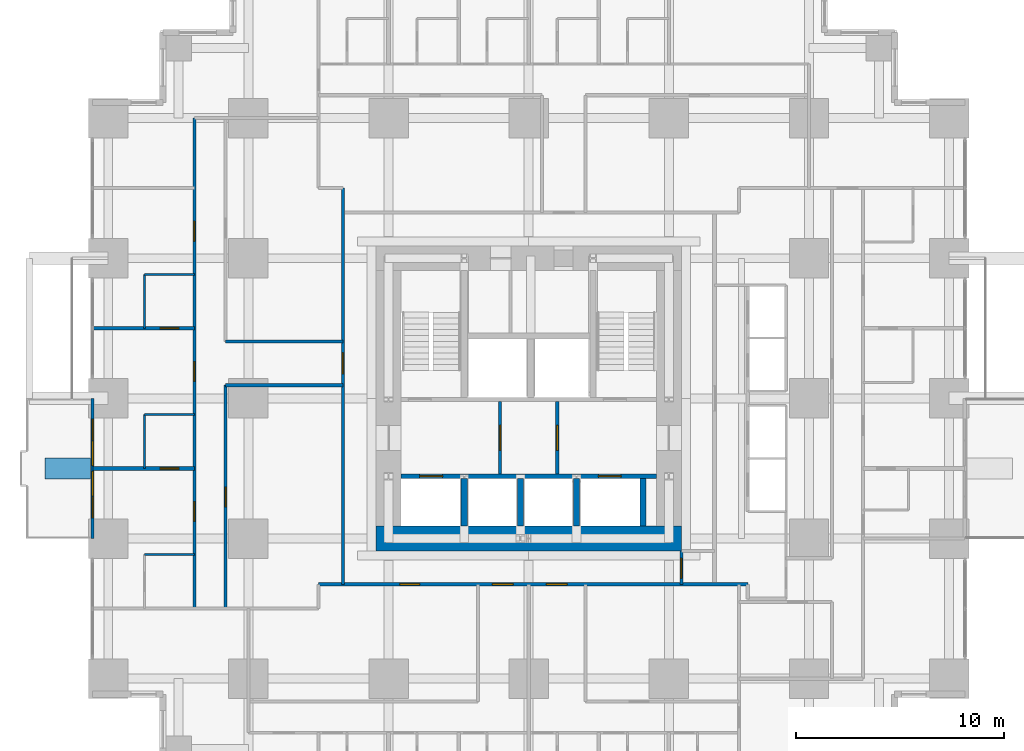
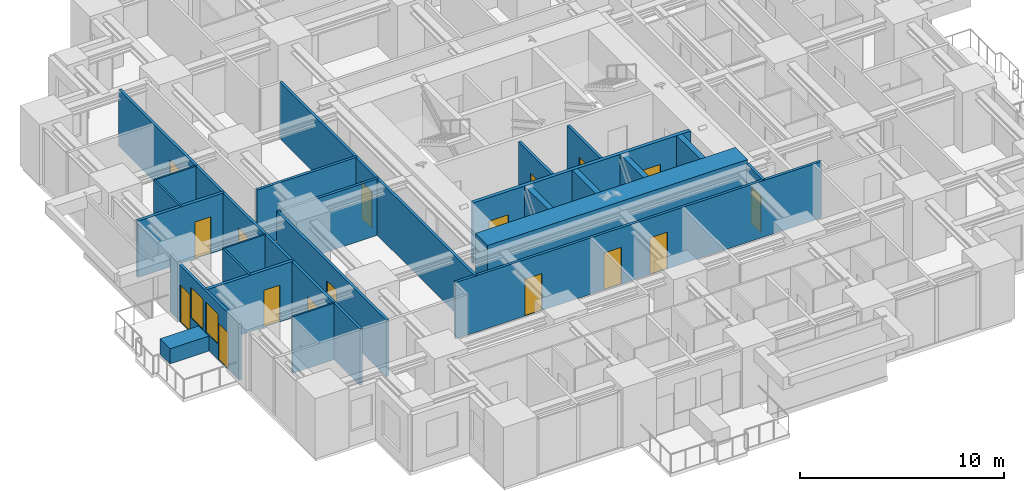
# One storey, part 9 of 14: 24 walls, 17 doors, 2 windows, 19 openings.
"""IFC4 building model written with IfcOpenShell, lengths in metres."""

from ifc_helpers import new_model, si_unit, direction, frame, frame_2d, origin, place, context, subcontext, project, spatial, rectangle, extrude, material, layer, layer_set, type_object, element, fill, save


model = new_model("IFC4")

# Units and contexts
model_context = context("Model", 3, precision=1e-05, world=origin(), true_north=direction((0.0, 1.0)))
body_context = subcontext(model_context, "Body", "Model", "MODEL_VIEW")
ifc_project = project(units=[si_unit("LENGTHUNIT", "METRE"), si_unit("AREAUNIT", "SQUARE_METRE"), si_unit("VOLUMEUNIT", "CUBIC_METRE"), si_unit("PLANEANGLEUNIT", "RADIAN"), si_unit("MASSUNIT", "GRAM", prefix="KILO")], contexts=[model_context])

# Site, building, storey
site_placement = place(None, origin())
site = spatial("IfcSite", under=ifc_project, at=site_placement, CompositionType="ELEMENT")
building_placement = place(site_placement, origin())
building = spatial("IfcBuilding", under=site, at=building_placement, Name="Nyansa Garden Tower", CompositionType="ELEMENT")
storey_placement = place(building_placement, frame((0.0, 0.0, 39.60009765625)))
storey = spatial("IfcBuildingStorey", under=building, at=storey_placement, Name="L10", CompositionType="ELEMENT", Elevation=39.60009765625)

# Wall, opening, door
ifc_material_1 = material(Name="Dense blockwork, plastered both sides, 55 dB", Category="masonry")
ifc_layer_1 = layer(ifc_material_1, 0.175048828125)
ifc_layer_set_1 = layer_set([ifc_layer_1], Name="Acoustic party wall PW175")
wall_type_1 = type_object("IfcWallType", Name="Acoustic party wall PW175", PredefinedType="PARTITIONING", material=ifc_layer_set_1)
wall_1_placement = place(storey_placement, frame((-0.73388671875, 16.875, 0.0), z_axis=(0.0, 0.0, 1.0), x_axis=(1.0, 0.0, 0.0)))
wall_1 = element("IfcWall", 1, at=wall_1_placement, inside=storey, type_object=wall_type_1, Name="Party wall", PredefinedType="PARTITIONING", context=body_context, shape_type="SweptSolid", body=[
    extrude(rectangle(XDim=4.8837890625, YDim=0.175048828125, at=frame_2d((2.44189453125, 0.0))), origin(), (0.0, 0.0, 1.0), 3.375),
])
opening_1_placement = place(wall_1_placement, frame((3.23388671875, 0.0, 0.0)))
opening_1 = element("IfcOpeningElement", 2, at=opening_1_placement, cuts=wall_1, Name="Opening D02", PredefinedType="OPENING", context=body_context, shape_type="SweptSolid", body=[
    extrude(rectangle(XDim=0.89990234375, YDim=2.199951171875, at=frame_2d((0.449951171875, 1.10009765625))), frame((0.0, 0.097412109375, 0.0), z_axis=(0.0, -1.0, 0.0), x_axis=(1.0, 0.0, 0.0)), (0.0, 0.0, 1.0), 0.195068359375),
])
ifc_material_2 = material(Name="Timber flush door", Category="wood")
door_type_1 = type_object("IfcDoorType", Name="En-suite door D02 900x2200", OperationType="SINGLE_SWING_RIGHT", PredefinedType="DOOR", material=ifc_material_2)
door_1_placement = place(opening_1_placement, origin())
door_1 = element("IfcDoor", 3, at=door_1_placement, inside=storey, type_object=door_type_1, Name="Door L10-062", OperationType="SINGLE_SWING_RIGHT", OverallHeight=2.199951171875, OverallWidth=0.89990234375, PredefinedType="DOOR", context=body_context, shape_type="SweptSolid", body=[
    extrude(rectangle(XDim=0.89990234375, YDim=2.199951171875, at=frame_2d((0.449951171875, 1.10009765625))), frame((0.0, 0.02490234375, 0.0), z_axis=(0.0, -1.0, 0.0), x_axis=(1.0, 0.0, 0.0)), (0.0, 0.0, 1.0), 0.050048828125),
])
fill(opening_1, door_1)

wall_2_placement = place(storey_placement, frame((-0.73388671875, 23.625, 0.0), z_axis=(0.0, 0.0, 1.0), x_axis=(1.0, 0.0, 0.0)))
wall_2 = element("IfcWall", 4, at=wall_2_placement, inside=storey, type_object=wall_type_1, Name="Party wall", PredefinedType="PARTITIONING", context=body_context, shape_type="SweptSolid", body=[
    extrude(rectangle(XDim=4.8837890625, YDim=0.175048828125, at=frame_2d((2.44189453125, 0.0))), origin(), (0.0, 0.0, 1.0), 3.375),
])
opening_2_placement = place(wall_2_placement, frame((3.23388671875, 0.0, 0.0)))
opening_2 = element("IfcOpeningElement", 5, at=opening_2_placement, cuts=wall_2, Name="Opening D02", PredefinedType="OPENING", context=body_context, shape_type="SweptSolid", body=[
    extrude(rectangle(XDim=0.89990234375, YDim=2.199951171875, at=frame_2d((0.449951171875, 1.10009765625))), frame((0.0, 0.097412109375, 0.0), z_axis=(0.0, -1.0, 0.0), x_axis=(1.0, 0.0, 0.0)), (0.0, 0.0, 1.0), 0.195068359375),
])
door_2_placement = place(opening_2_placement, origin())
door_2 = element("IfcDoor", 6, at=door_2_placement, inside=storey, type_object=door_type_1, Name="Door L10-064", OperationType="SINGLE_SWING_RIGHT", OverallHeight=2.199951171875, OverallWidth=0.89990234375, PredefinedType="DOOR", context=body_context, shape_type="SweptSolid", body=[
    extrude(rectangle(XDim=0.89990234375, YDim=2.199951171875, at=frame_2d((0.449951171875, 1.10009765625))), frame((0.0, 0.02490234375, 0.0), z_axis=(0.0, -1.0, 0.0), x_axis=(1.0, 0.0, 0.0)), (0.0, 0.0, 1.0), 0.050048828125),
])
fill(opening_2, door_2)

# Wall, openings, doors, windows
ifc_material_3 = material(Name="Black aluminium framed glazed screen", Category="aluminium")
ifc_layer_2 = layer(ifc_material_3, 0.14990234375)
ifc_layer_set_2 = layer_set([ifc_layer_2], Name="Balcony screen wall BW150")
wall_type_2 = type_object("IfcWallType", Name="Balcony screen wall BW150", PredefinedType="SOLIDWALL", material=ifc_layer_set_2)
wall_3_placement = place(storey_placement, frame((-0.75, 13.5, 0.0), z_axis=(0.0, 0.0, 1.0), x_axis=(0.0, 1.0, 0.0)))
wall_3 = element("IfcWall", 7, at=wall_3_placement, inside=storey, type_object=wall_type_2, Name="Glazed screen wall L10 W", PredefinedType="SOLIDWALL", context=body_context, shape_type="SweptSolid", body=[
    extrude(rectangle(XDim=6.75, YDim=0.14990234375, at=frame_2d((3.375, 0.0))), origin(), (0.0, 0.0, 1.0), 3.375),
])
opening_3_placement = place(wall_3_placement, frame((0.995849609375, 0.0, 0.0)))
opening_3 = element("IfcOpeningElement", 8, at=opening_3_placement, cuts=wall_3, Name="Opening D20", PredefinedType="OPENING", context=body_context, shape_type="SweptSolid", body=[
    extrude(rectangle(XDim=1.0, YDim=2.199951171875, at=frame_2d((0.5, 1.10009765625))), frame((0.0, 0.0849609375, 0.0), z_axis=(0.0, -1.0, 0.0), x_axis=(1.0, 0.0, 0.0)), (0.0, 0.0, 1.0), 0.169921875),
])
opening_4_placement = place(wall_3_placement, frame((2.041748046875, 0.0, 0.89990234375)))
opening_4 = element("IfcOpeningElement", 9, at=opening_4_placement, cuts=wall_3, Name="Opening W6", PredefinedType="OPENING", context=body_context, shape_type="SweptSolid", body=[
    extrude(rectangle(XDim=1.199951171875, YDim=1.800048828125, at=frame_2d((0.60009765625, 0.89990234375))), frame((0.0, 0.0849609375, 0.0), z_axis=(0.0, -1.0, 0.0), x_axis=(1.0, 0.0, 0.0)), (0.0, 0.0, 1.0), 0.169921875),
])
opening_5_placement = place(wall_3_placement, frame((4.754150390625, 0.0, 0.0)))
opening_5 = element("IfcOpeningElement", 10, at=opening_5_placement, cuts=wall_3, Name="Opening D20", PredefinedType="OPENING", context=body_context, shape_type="SweptSolid", body=[
    extrude(rectangle(XDim=1.0, YDim=2.199951171875, at=frame_2d((0.5, 1.10009765625))), frame((0.0, 0.0849609375, 0.0), z_axis=(0.0, -1.0, 0.0), x_axis=(1.0, 0.0, 0.0)), (0.0, 0.0, 1.0), 0.169921875),
])
opening_6_placement = place(wall_3_placement, frame((3.50830078125, 0.0, 0.89990234375)))
opening_6 = element("IfcOpeningElement", 11, at=opening_6_placement, cuts=wall_3, Name="Opening W6", PredefinedType="OPENING", context=body_context, shape_type="SweptSolid", body=[
    extrude(rectangle(XDim=1.199951171875, YDim=1.800048828125, at=frame_2d((0.60009765625, 0.89990234375))), frame((0.0, 0.0849609375, 0.0), z_axis=(0.0, -1.0, 0.0), x_axis=(1.0, 0.0, 0.0)), (0.0, 0.0, 1.0), 0.169921875),
])
ifc_material_4 = material(Name="Black aluminium framed glazed door", Category="aluminium")
door_type_2 = type_object("IfcDoorType", Name="Balcony door D20 1000x2200", OperationType="NOTDEFINED", PredefinedType="DOOR", material=ifc_material_4)
door_3_placement = place(opening_3_placement, origin())
door_3 = element("IfcDoor", 12, at=door_3_placement, inside=storey, type_object=door_type_2, Name="Balcony door L10", OperationType="SINGLE_SWING_LEFT", OverallHeight=2.199951171875, OverallWidth=1.0, PredefinedType="DOOR", context=body_context, shape_type="SweptSolid", body=[
    extrude(rectangle(XDim=1.0, YDim=2.199951171875, at=frame_2d((0.5, 1.10009765625))), frame((0.0, 0.02490234375, 0.0), z_axis=(0.0, -1.0, 0.0), x_axis=(1.0, 0.0, 0.0)), (0.0, 0.0, 1.0), 0.050048828125),
])
fill(opening_3, door_3)
door_4_placement = place(opening_5_placement, origin())
door_4 = element("IfcDoor", 13, at=door_4_placement, inside=storey, type_object=door_type_2, Name="Balcony door L10", OperationType="SINGLE_SWING_RIGHT", OverallHeight=2.199951171875, OverallWidth=1.0, PredefinedType="DOOR", context=body_context, shape_type="SweptSolid", body=[
    extrude(rectangle(XDim=1.0, YDim=2.199951171875, at=frame_2d((0.5, 1.10009765625))), frame((0.0, 0.02490234375, 0.0), z_axis=(0.0, -1.0, 0.0), x_axis=(1.0, 0.0, 0.0)), (0.0, 0.0, 1.0), 0.050048828125),
])
fill(opening_5, door_4)
ifc_material_5 = material(Name="Black aluminium frame, dark tinted double glazing", Category="aluminium")
window_type = type_object("IfcWindowType", Name="Balcony window W6 1200x1800", PartitioningType="SINGLE_PANEL", PredefinedType="WINDOW", material=ifc_material_5)
window_1_placement = place(opening_4_placement, origin())
window_1 = element("IfcWindow", 14, at=window_1_placement, inside=storey, type_object=window_type, Name="Window L10", OverallHeight=1.800048828125, OverallWidth=1.199951171875, PartitioningType="SINGLE_PANEL", PredefinedType="WINDOW", context=body_context, shape_type="SweptSolid", body=[
    extrude(rectangle(XDim=1.199951171875, YDim=1.800048828125, at=frame_2d((0.60009765625, 0.89990234375))), frame((0.0, 0.030029296875, 0.0), z_axis=(0.0, -1.0, 0.0), x_axis=(1.0, 0.0, 0.0)), (0.0, 0.0, 1.0), 0.06005859375),
])
fill(opening_4, window_1)
window_2_placement = place(opening_6_placement, origin())
window_2 = element("IfcWindow", 15, at=window_2_placement, inside=storey, type_object=window_type, Name="Window L10", OverallHeight=1.800048828125, OverallWidth=1.199951171875, PartitioningType="SINGLE_PANEL", PredefinedType="WINDOW", context=body_context, shape_type="SweptSolid", body=[
    extrude(rectangle(XDim=1.199951171875, YDim=1.800048828125, at=frame_2d((0.60009765625, 0.89990234375))), frame((0.0, 0.030029296875, 0.0), z_axis=(0.0, -1.0, 0.0), x_axis=(1.0, 0.0, 0.0)), (0.0, 0.0, 1.0), 0.06005859375),
])
fill(opening_6, window_2)

# Wall, openings, doors
ifc_material_6 = material(Name="Concrete C70/85", Category="concrete")
ifc_layer_3 = layer(ifc_material_6, 0.199951171875)
ifc_layer_set_3 = layer_set([ifc_layer_3], Name="Core inner wall CI200")
wall_type_3 = type_object("IfcWallType", Name="Core inner wall CI200", PredefinedType="SHEAR", material=ifc_layer_set_3)
wall_4_placement = place(storey_placement, frame((14.10009765625, 16.5, 0.0), z_axis=(0.0, 0.0, 1.0), x_axis=(1.0, 0.0, 0.0)))
wall_4 = element("IfcWall", 16, at=wall_4_placement, inside=storey, type_object=wall_type_3, Name="Core inner wall L10", PredefinedType="SHEAR", context=body_context, shape_type="SweptSolid", body=[
    extrude(rectangle(XDim=12.2998046875, YDim=0.199951171875, at=frame_2d((6.14990234375, 0.0))), origin(), (0.0, 0.0, 1.0), 3.599853515625),
])
opening_7_placement = place(wall_4_placement, frame((0.89990234375, 0.0, 0.0)))
opening_7 = element("IfcOpeningElement", 17, at=opening_7_placement, cuts=wall_4, Name="Opening LD-F", PredefinedType="OPENING", context=body_context, shape_type="SweptSolid", body=[
    extrude(rectangle(XDim=1.10009765625, YDim=2.199951171875, at=frame_2d((0.550048828125, 1.10009765625))), frame((0.0, 0.10986328125, 0.0), z_axis=(0.0, -1.0, 0.0), x_axis=(1.0, 0.0, 0.0)), (0.0, 0.0, 1.0), 0.219970703125),
])
opening_8_placement = place(wall_4_placement, frame((9.5, 0.0, 0.0)))
opening_8 = element("IfcOpeningElement", 18, at=opening_8_placement, cuts=wall_4, Name="Opening LD-F", PredefinedType="OPENING", context=body_context, shape_type="SweptSolid", body=[
    extrude(rectangle(XDim=1.10009765625, YDim=2.199951171875, at=frame_2d((0.550048828125, 1.10009765625))), frame((0.0, 0.10986328125, 0.0), z_axis=(0.0, -1.0, 0.0), x_axis=(1.0, 0.0, 0.0)), (0.0, 0.0, 1.0), 0.219970703125),
])
ifc_material_7 = material(Name="Stainless steel centre-opening landing door of the firefighting lift, EN 81-72, E 120", Category="steel")
door_type_3 = type_object("IfcDoorType", Name="Lift landing door LD-F 1100x2200", OperationType="DOUBLE_DOOR_SLIDING", PredefinedType="DOOR", material=ifc_material_7)
door_5_placement = place(opening_7_placement, origin())
door_5 = element("IfcDoor", 19, at=door_5_placement, inside=storey, type_object=door_type_3, Name="Landing door FF1", OperationType="DOUBLE_DOOR_SLIDING", OverallHeight=2.199951171875, OverallWidth=1.10009765625, PredefinedType="DOOR", context=body_context, shape_type="SweptSolid", body=[
    extrude(rectangle(XDim=1.10009765625, YDim=2.199951171875, at=frame_2d((0.550048828125, 1.10009765625))), frame((0.0, 0.02490234375, 0.0), z_axis=(0.0, -1.0, 0.0), x_axis=(1.0, 0.0, 0.0)), (0.0, 0.0, 1.0), 0.050048828125),
])
fill(opening_7, door_5)
door_6_placement = place(opening_8_placement, origin())
door_6 = element("IfcDoor", 20, at=door_6_placement, inside=storey, type_object=door_type_3, Name="Landing door FF2", OperationType="DOUBLE_DOOR_SLIDING", OverallHeight=2.199951171875, OverallWidth=1.10009765625, PredefinedType="DOOR", context=body_context, shape_type="SweptSolid", body=[
    extrude(rectangle(XDim=1.10009765625, YDim=2.199951171875, at=frame_2d((0.550048828125, 1.10009765625))), frame((0.0, 0.02490234375, 0.0), z_axis=(0.0, -1.0, 0.0), x_axis=(1.0, 0.0, 0.0)), (0.0, 0.0, 1.0), 0.050048828125),
])
fill(opening_8, door_6)

# Walls
ifc_material_8 = material(Name="Concrete C70/85", Category="concrete")
ifc_layer_4 = layer(ifc_material_8, 0.300048828125)
ifc_layer_set_4 = layer_set([ifc_layer_4], Name="Core inner wall CI300")
wall_type_4 = type_object("IfcWallType", Name="Core inner wall CI300", PredefinedType="SHEAR", material=ifc_layer_set_4)
for number, where, z_axis, x_axis, name in (
    (21, (17.14990234375, 14.10009765625, 0.0), (0.0, 0.0, 1.0), (0.0, 1.0, 0.0), "Core inner wall L10"),
    (22, (19.85009765625, 14.10009765625, 0.0), (0.0, 0.0, 1.0), (0.0, 1.0, 0.0), "Core inner wall L10"),
    (23, (22.550048828125, 14.10009765625, 0.0), (0.0, 0.0, 1.0), (0.0, 1.0, 0.0), "Core inner wall L10"),
    (24, (25.75, 14.10009765625, 0.0), (0.0, 0.0, 1.0), (0.0, 1.0, 0.0), "Core inner wall L10"),
):
    element("IfcWall", number, at=place(storey_placement, frame(where, z_axis=z_axis, x_axis=x_axis)), inside=storey, type_object=wall_type_4, Name=name, PredefinedType="SHEAR", context=body_context, shape_type="SweptSolid", body=[
        extrude(rectangle(XDim=2.2998046875, YDim=0.300048828125, at=frame_2d((1.14990234375, 0.0))), origin(), (0.0, 0.0, 1.0), 3.599853515625),
    ])
ifc_material_9 = material(Name="Concrete C80/95", Category="concrete")
ifc_layer_5 = layer(ifc_material_9, 1.199951171875)
ifc_layer_set_5 = layer_set([ifc_layer_5], Name="Core wall CW1200")
wall_type_5 = type_object("IfcWallType", Name="Core wall CW1200", PredefinedType="SHEAR", material=ifc_layer_set_5)
wall_5_placement = place(storey_placement, frame((12.89990234375, 13.5, 0.0), z_axis=(0.0, 0.0, 1.0), x_axis=(1.0, 0.0, 0.0)))
element("IfcWall", 25, at=wall_5_placement, inside=storey, type_object=wall_type_5, Name="Core wall S L10", PredefinedType="SHEAR", context=body_context, shape_type="SweptSolid", body=[
    extrude(rectangle(XDim=14.7001953125, YDim=1.199951171875, at=frame_2d((7.35009765625, 0.0))), origin(), (0.0, 0.0, 1.0), 3.599853515625),
])

# Wall, opening, door
ifc_material_10 = material(Name="Blockwork, plastered both sides", Category="masonry")
ifc_layer_6 = layer(ifc_material_10, 0.14990234375)
ifc_layer_set_6 = layer_set([ifc_layer_6], Name="Partition PW150")
wall_type_6 = type_object("IfcWallType", Name="Partition PW150", PredefinedType="PARTITIONING", material=ifc_layer_set_6)
wall_6_placement = place(storey_placement, frame((18.875, 16.60009765625, 0.0), z_axis=(0.0, 0.0, 1.0), x_axis=(0.0, 1.0, 0.0)))
wall_6 = element("IfcWall", 26, at=wall_6_placement, inside=storey, type_object=wall_type_6, Name="Partition", PredefinedType="PARTITIONING", context=body_context, shape_type="SweptSolid", body=[
    extrude(rectangle(XDim=3.5, YDim=0.14990234375, at=frame_2d((1.75, 0.0))), origin(), (0.0, 0.0, 1.0), 3.375),
])
opening_9_placement = place(wall_6_placement, frame((1.14990234375, 0.0, 0.0)))
opening_9 = element("IfcOpeningElement", 27, at=opening_9_placement, cuts=wall_6, Name="Opening D06", PredefinedType="OPENING", context=body_context, shape_type="SweptSolid", body=[
    extrude(rectangle(XDim=1.199951171875, YDim=2.199951171875, at=frame_2d((0.60009765625, 1.10009765625))), frame((0.0, 0.0849609375, 0.0), z_axis=(0.0, -1.0, 0.0), x_axis=(1.0, 0.0, 0.0)), (0.0, 0.0, 1.0), 0.169921875),
])
ifc_material_11 = material(Name="Steel door, 120 minute fire resisting", Category="steel")
door_type_4 = type_object("IfcDoorType", Name="Lobby door D06 1200x2200", OperationType="DOUBLE_DOOR_SINGLE_SWING", PredefinedType="DOOR", material=ifc_material_11)
door_7_placement = place(opening_9_placement, origin())
door_7 = element("IfcDoor", 28, at=door_7_placement, inside=storey, type_object=door_type_4, Name="Passenger lift lobby door", OperationType="DOUBLE_DOOR_SINGLE_SWING", OverallHeight=2.199951171875, OverallWidth=1.199951171875, PredefinedType="DOOR", context=body_context, shape_type="SweptSolid", body=[
    extrude(rectangle(XDim=1.199951171875, YDim=2.199951171875, at=frame_2d((0.60009765625, 1.10009765625))), frame((0.0, 0.02490234375, 0.0), z_axis=(0.0, -1.0, 0.0), x_axis=(1.0, 0.0, 0.0)), (0.0, 0.0, 1.0), 0.050048828125),
])
fill(opening_9, door_7)

wall_7_placement = place(storey_placement, frame((21.625, 16.60009765625, 0.0), z_axis=(0.0, 0.0, 1.0), x_axis=(0.0, 1.0, 0.0)))
wall_7 = element("IfcWall", 29, at=wall_7_placement, inside=storey, type_object=wall_type_6, Name="Partition", PredefinedType="PARTITIONING", context=body_context, shape_type="SweptSolid", body=[
    extrude(rectangle(XDim=3.5, YDim=0.14990234375, at=frame_2d((1.75, 0.0))), origin(), (0.0, 0.0, 1.0), 3.375),
])
opening_10_placement = place(wall_7_placement, frame((1.14990234375, 0.0, 0.0)))
opening_10 = element("IfcOpeningElement", 30, at=opening_10_placement, cuts=wall_7, Name="Opening D06", PredefinedType="OPENING", context=body_context, shape_type="SweptSolid", body=[
    extrude(rectangle(XDim=1.199951171875, YDim=2.199951171875, at=frame_2d((0.60009765625, 1.10009765625))), frame((0.0, 0.0849609375, 0.0), z_axis=(0.0, -1.0, 0.0), x_axis=(1.0, 0.0, 0.0)), (0.0, 0.0, 1.0), 0.169921875),
])
door_8_placement = place(opening_10_placement, origin())
door_8 = element("IfcDoor", 31, at=door_8_placement, inside=storey, type_object=door_type_4, Name="Passenger lift lobby door", OperationType="DOUBLE_DOOR_SINGLE_SWING", OverallHeight=2.199951171875, OverallWidth=1.199951171875, PredefinedType="DOOR", context=body_context, shape_type="SweptSolid", body=[
    extrude(rectangle(XDim=1.199951171875, YDim=2.199951171875, at=frame_2d((0.60009765625, 1.10009765625))), frame((0.0, 0.02490234375, 0.0), z_axis=(0.0, -1.0, 0.0), x_axis=(1.0, 0.0, 0.0)), (0.0, 0.0, 1.0), 0.050048828125),
])
fill(opening_10, door_8)

# Wall, openings, doors
wall_8_placement = place(storey_placement, frame((4.14990234375, 10.125, 0.0), z_axis=(0.0, 0.0, 1.0), x_axis=(0.0, 1.0, 0.0)))
wall_8 = element("IfcWall", 32, at=wall_8_placement, inside=storey, type_object=wall_type_6, Name="Partition", PredefinedType="PARTITIONING", context=body_context, shape_type="SweptSolid", body=[
    extrude(rectangle(XDim=23.625, YDim=0.14990234375, at=frame_2d((11.8125, 0.0))), origin(), (0.0, 0.0, 1.0), 3.375),
])
opening_11_placement = place(wall_8_placement, frame((4.199951171875, 0.0, 0.0)))
opening_11 = element("IfcOpeningElement", 33, at=opening_11_placement, cuts=wall_8, Name="Opening D14", PredefinedType="OPENING", context=body_context, shape_type="SweptSolid", body=[
    extrude(rectangle(XDim=0.949951171875, YDim=2.199951171875, at=frame_2d((0.47509765625, 1.10009765625))), frame((0.0, 0.0849609375, 0.0), z_axis=(0.0, -1.0, 0.0), x_axis=(1.0, 0.0, 0.0)), (0.0, 0.0, 1.0), 0.169921875),
])
opening_12_placement = place(wall_8_placement, frame((10.949951171875, 0.0, 0.0)))
opening_12 = element("IfcOpeningElement", 34, at=opening_12_placement, cuts=wall_8, Name="Opening D14", PredefinedType="OPENING", context=body_context, shape_type="SweptSolid", body=[
    extrude(rectangle(XDim=0.949951171875, YDim=2.199951171875, at=frame_2d((0.47509765625, 1.10009765625))), frame((0.0, 0.0849609375, 0.0), z_axis=(0.0, -1.0, 0.0), x_axis=(1.0, 0.0, 0.0)), (0.0, 0.0, 1.0), 0.169921875),
])
opening_13_placement = place(wall_8_placement, frame((17.699951171875, 0.0, 0.0)))
opening_13 = element("IfcOpeningElement", 35, at=opening_13_placement, cuts=wall_8, Name="Opening D14", PredefinedType="OPENING", context=body_context, shape_type="SweptSolid", body=[
    extrude(rectangle(XDim=0.949951171875, YDim=2.199951171875, at=frame_2d((0.47509765625, 1.10009765625))), frame((0.0, 0.0849609375, 0.0), z_axis=(0.0, -1.0, 0.0), x_axis=(1.0, 0.0, 0.0)), (0.0, 0.0, 1.0), 0.169921875),
])
ifc_material_12 = material(Name="Timber flush door, 60 minute fire resisting, self-closing", Category="wood")
door_type_5 = type_object("IfcDoorType", Name="Studio entrance door D14 950x2200", OperationType="SINGLE_SWING_LEFT", PredefinedType="DOOR", material=ifc_material_12)
door_9_placement = place(opening_11_placement, origin())
door_9 = element("IfcDoor", 36, at=door_9_placement, inside=storey, type_object=door_type_5, Name="Door L10-059", OperationType="SINGLE_SWING_LEFT", OverallHeight=2.199951171875, OverallWidth=0.949951171875, PredefinedType="DOOR", context=body_context, shape_type="SweptSolid", body=[
    extrude(rectangle(XDim=0.949951171875, YDim=2.199951171875, at=frame_2d((0.47509765625, 1.10009765625))), frame((0.0, 0.02490234375, 0.0), z_axis=(0.0, -1.0, 0.0), x_axis=(1.0, 0.0, 0.0)), (0.0, 0.0, 1.0), 0.050048828125),
])
fill(opening_11, door_9)
door_10_placement = place(opening_12_placement, origin())
door_10 = element("IfcDoor", 37, at=door_10_placement, inside=storey, type_object=door_type_5, Name="Door L10-061", OperationType="SINGLE_SWING_LEFT", OverallHeight=2.199951171875, OverallWidth=0.949951171875, PredefinedType="DOOR", context=body_context, shape_type="SweptSolid", body=[
    extrude(rectangle(XDim=0.949951171875, YDim=2.199951171875, at=frame_2d((0.47509765625, 1.10009765625))), frame((0.0, 0.02490234375, 0.0), z_axis=(0.0, -1.0, 0.0), x_axis=(1.0, 0.0, 0.0)), (0.0, 0.0, 1.0), 0.050048828125),
])
fill(opening_12, door_10)
door_11_placement = place(opening_13_placement, origin())
door_11 = element("IfcDoor", 38, at=door_11_placement, inside=storey, type_object=door_type_5, Name="Door L10-063", OperationType="SINGLE_SWING_LEFT", OverallHeight=2.199951171875, OverallWidth=0.949951171875, PredefinedType="DOOR", context=body_context, shape_type="SweptSolid", body=[
    extrude(rectangle(XDim=0.949951171875, YDim=2.199951171875, at=frame_2d((0.47509765625, 1.10009765625))), frame((0.0, 0.02490234375, 0.0), z_axis=(0.0, -1.0, 0.0), x_axis=(1.0, 0.0, 0.0)), (0.0, 0.0, 1.0), 0.050048828125),
])
fill(opening_13, door_11)

# Wall, opening, door
wall_9_placement = place(storey_placement, frame((5.64990234375, 10.125, 0.0), z_axis=(0.0, 0.0, 1.0), x_axis=(0.0, 1.0, 0.0)))
wall_9 = element("IfcWall", 39, at=wall_9_placement, inside=storey, type_object=wall_type_6, Name="Partition", PredefinedType="PARTITIONING", context=body_context, shape_type="SweptSolid", body=[
    extrude(rectangle(XDim=10.762451171875, YDim=0.14990234375, at=frame_2d((5.38134765625, 0.0))), origin(), (0.0, 0.0, 1.0), 3.375),
])
opening_14_placement = place(wall_9_placement, frame((4.89990234375, 0.0, 0.0)))
opening_14 = element("IfcOpeningElement", 40, at=opening_14_placement, cuts=wall_9, Name="Opening D01", PredefinedType="OPENING", context=body_context, shape_type="SweptSolid", body=[
    extrude(rectangle(XDim=0.949951171875, YDim=2.199951171875, at=frame_2d((0.47509765625, 1.10009765625))), frame((0.0, 0.0849609375, 0.0), z_axis=(0.0, -1.0, 0.0), x_axis=(1.0, 0.0, 0.0)), (0.0, 0.0, 1.0), 0.169921875),
])
ifc_material_13 = material(Name="Timber flush door, 30 minute fire resisting", Category="wood")
door_type_6 = type_object("IfcDoorType", Name="Bedroom door D01 950x2200", OperationType="SINGLE_SWING_LEFT", PredefinedType="DOOR", material=ifc_material_13)
door_12_placement = place(opening_14_placement, origin())
door_12 = element("IfcDoor", 41, at=door_12_placement, inside=storey, type_object=door_type_6, Name="Door L10-066", OperationType="SINGLE_SWING_LEFT", OverallHeight=2.199951171875, OverallWidth=0.949951171875, PredefinedType="DOOR", context=body_context, shape_type="SweptSolid", body=[
    extrude(rectangle(XDim=0.949951171875, YDim=2.199951171875, at=frame_2d((0.47509765625, 1.10009765625))), frame((0.0, 0.02490234375, 0.0), z_axis=(0.0, -1.0, 0.0), x_axis=(1.0, 0.0, 0.0)), (0.0, 0.0, 1.0), 0.050048828125),
])
fill(opening_14, door_12)

# Walls
for number, where, z_axis, x_axis, name in (
    (42, (5.64990234375, 20.886962890625, 0.0), (0.0, 0.0, 1.0), (1.0, 0.0, 0.0), "Partition"),
    (43, (5.64990234375, 22.988037109375, 0.0), (0.0, 0.0, 1.0), (1.0, 0.0, 0.0), "Partition"),
):
    element("IfcWall", number, at=place(storey_placement, frame(where, z_axis=z_axis, x_axis=x_axis)), inside=storey, type_object=wall_type_6, Name=name, PredefinedType="PARTITIONING", context=body_context, shape_type="SweptSolid", body=[
        extrude(rectangle(XDim=5.650146484375, YDim=0.14990234375, at=frame_2d((2.8251953125, 0.0))), origin(), (0.0, 0.0, 1.0), 3.375),
    ])

# Wall, openings, doors
wall_10_placement = place(storey_placement, frame((10.125, 11.300048828125, 0.0), z_axis=(0.0, 0.0, 1.0), x_axis=(1.0, 0.0, 0.0)))
wall_10 = element("IfcWall", 44, at=wall_10_placement, inside=storey, type_object=wall_type_6, Name="Partition", PredefinedType="PARTITIONING", context=body_context, shape_type="SweptSolid", body=[
    extrude(rectangle(XDim=20.675048828125, YDim=0.14990234375, at=frame_2d((10.33740234375, 0.0))), origin(), (0.0, 0.0, 1.0), 3.375),
])
opening_15_placement = place(wall_10_placement, frame((8.375, 0.0, 0.0)))
opening_15 = element("IfcOpeningElement", 45, at=opening_15_placement, cuts=wall_10, Name="Opening D03", PredefinedType="OPENING", context=body_context, shape_type="SweptSolid", body=[
    extrude(rectangle(XDim=1.0, YDim=2.199951171875, at=frame_2d((0.5, 1.10009765625))), frame((0.0, 0.0849609375, 0.0), z_axis=(0.0, -1.0, 0.0), x_axis=(1.0, 0.0, 0.0)), (0.0, 0.0, 1.0), 0.169921875),
])
opening_16_placement = place(wall_10_placement, frame((10.97509765625, 0.0, 0.0)))
opening_16 = element("IfcOpeningElement", 46, at=opening_16_placement, cuts=wall_10, Name="Opening D03", PredefinedType="OPENING", context=body_context, shape_type="SweptSolid", body=[
    extrude(rectangle(XDim=1.0, YDim=2.199951171875, at=frame_2d((0.5, 1.10009765625))), frame((0.0, 0.0849609375, 0.0), z_axis=(0.0, -1.0, 0.0), x_axis=(1.0, 0.0, 0.0)), (0.0, 0.0, 1.0), 0.169921875),
])
opening_17_placement = place(wall_10_placement, frame((3.925048828125, 0.0, 0.0)))
opening_17 = element("IfcOpeningElement", 47, at=opening_17_placement, cuts=wall_10, Name="Opening D01", PredefinedType="OPENING", context=body_context, shape_type="SweptSolid", body=[
    extrude(rectangle(XDim=0.949951171875, YDim=2.199951171875, at=frame_2d((0.47509765625, 1.10009765625))), frame((0.0, 0.0849609375, 0.0), z_axis=(0.0, -1.0, 0.0), x_axis=(1.0, 0.0, 0.0)), (0.0, 0.0, 1.0), 0.169921875),
])
door_13_placement = place(opening_17_placement, origin())
door_13 = element("IfcDoor", 48, at=door_13_placement, inside=storey, type_object=door_type_6, Name="Door L10-032", OperationType="SINGLE_SWING_LEFT", OverallHeight=2.199951171875, OverallWidth=0.949951171875, PredefinedType="DOOR", context=body_context, shape_type="SweptSolid", body=[
    extrude(rectangle(XDim=0.949951171875, YDim=2.199951171875, at=frame_2d((0.47509765625, 1.10009765625))), frame((0.0, 0.02490234375, 0.0), z_axis=(0.0, -1.0, 0.0), x_axis=(1.0, 0.0, 0.0)), (0.0, 0.0, 1.0), 0.050048828125),
])
fill(opening_17, door_13)
ifc_material_14 = material(Name="Timber flush door, 60 minute fire resisting", Category="wood")
door_type_7 = type_object("IfcDoorType", Name="Cluster entrance door D03 1000x2200", OperationType="SINGLE_SWING_LEFT", PredefinedType="DOOR", material=ifc_material_14)
door_14_placement = place(opening_15_placement, origin())
door_14 = element("IfcDoor", 49, at=door_14_placement, inside=storey, type_object=door_type_7, Name="Door L10-024", OperationType="SINGLE_SWING_LEFT", OverallHeight=2.199951171875, OverallWidth=1.0, PredefinedType="DOOR", context=body_context, shape_type="SweptSolid", body=[
    extrude(rectangle(XDim=1.0, YDim=2.199951171875, at=frame_2d((0.5, 1.10009765625))), frame((0.0, 0.02490234375, 0.0), z_axis=(0.0, -1.0, 0.0), x_axis=(1.0, 0.0, 0.0)), (0.0, 0.0, 1.0), 0.050048828125),
])
fill(opening_15, door_14)
door_15_placement = place(opening_16_placement, origin())
door_15 = element("IfcDoor", 50, at=door_15_placement, inside=storey, type_object=door_type_7, Name="Door L10-031", OperationType="SINGLE_SWING_LEFT", OverallHeight=2.199951171875, OverallWidth=1.0, PredefinedType="DOOR", context=body_context, shape_type="SweptSolid", body=[
    extrude(rectangle(XDim=1.0, YDim=2.199951171875, at=frame_2d((0.5, 1.10009765625))), frame((0.0, 0.02490234375, 0.0), z_axis=(0.0, -1.0, 0.0), x_axis=(1.0, 0.0, 0.0)), (0.0, 0.0, 1.0), 0.050048828125),
])
fill(opening_16, door_15)

# Wall, opening, door
wall_11_placement = place(storey_placement, frame((11.300048828125, 11.300048828125, 0.0), z_axis=(0.0, 0.0, 1.0), x_axis=(0.0, 1.0, 0.0)))
wall_11 = element("IfcWall", 51, at=wall_11_placement, inside=storey, type_object=wall_type_6, Name="Partition", PredefinedType="PARTITIONING", context=body_context, shape_type="SweptSolid", body=[
    extrude(rectangle(XDim=19.074951171875, YDim=0.14990234375, at=frame_2d((9.53759765625, 0.0))), origin(), (0.0, 0.0, 1.0), 3.375),
])
opening_18_placement = place(wall_11_placement, frame((10.137451171875, 0.0, 0.0)))
opening_18 = element("IfcOpeningElement", 52, at=opening_18_placement, cuts=wall_11, Name="Opening D03", PredefinedType="OPENING", context=body_context, shape_type="SweptSolid", body=[
    extrude(rectangle(XDim=1.0, YDim=2.199951171875, at=frame_2d((0.5, 1.10009765625))), frame((0.0, 0.0849609375, 0.0), z_axis=(0.0, -1.0, 0.0), x_axis=(1.0, 0.0, 0.0)), (0.0, 0.0, 1.0), 0.169921875),
])
door_16_placement = place(opening_18_placement, origin())
door_16 = element("IfcDoor", 53, at=door_16_placement, inside=storey, type_object=door_type_7, Name="Door L10-065", OperationType="SINGLE_SWING_LEFT", OverallHeight=2.199951171875, OverallWidth=1.0, PredefinedType="DOOR", context=body_context, shape_type="SweptSolid", body=[
    extrude(rectangle(XDim=1.0, YDim=2.199951171875, at=frame_2d((0.5, 1.10009765625))), frame((0.0, 0.02490234375, 0.0), z_axis=(0.0, -1.0, 0.0), x_axis=(1.0, 0.0, 0.0)), (0.0, 0.0, 1.0), 0.050048828125),
])
fill(opening_18, door_16)

wall_12_placement = place(storey_placement, frame((27.60009765625, 11.300048828125, 0.0), z_axis=(0.0, 0.0, 1.0), x_axis=(0.0, 1.0, 0.0)))
wall_12 = element("IfcWall", 54, at=wall_12_placement, inside=storey, type_object=wall_type_6, Name="Partition", PredefinedType="PARTITIONING", context=body_context, shape_type="SweptSolid", body=[
    extrude(rectangle(XDim=1.599853515625, YDim=0.14990234375, at=frame_2d((0.7998046875, 0.0))), origin(), (0.0, 0.0, 1.0), 3.375),
])
opening_19_placement = place(wall_12_placement, frame((0.300048828125, 0.0, 0.0)))
opening_19 = element("IfcOpeningElement", 55, at=opening_19_placement, cuts=wall_12, Name="Opening D01", PredefinedType="OPENING", context=body_context, shape_type="SweptSolid", body=[
    extrude(rectangle(XDim=0.949951171875, YDim=2.199951171875, at=frame_2d((0.47509765625, 1.10009765625))), frame((0.0, 0.0849609375, 0.0), z_axis=(0.0, -1.0, 0.0), x_axis=(1.0, 0.0, 0.0)), (0.0, 0.0, 1.0), 0.169921875),
])
door_17_placement = place(opening_19_placement, origin())
door_17 = element("IfcDoor", 56, at=door_17_placement, inside=storey, type_object=door_type_6, Name="Door L10-016", OperationType="SINGLE_SWING_LEFT", OverallHeight=2.199951171875, OverallWidth=0.949951171875, PredefinedType="DOOR", context=body_context, shape_type="SweptSolid", body=[
    extrude(rectangle(XDim=0.949951171875, YDim=2.199951171875, at=frame_2d((0.47509765625, 1.10009765625))), frame((0.0, 0.02490234375, 0.0), z_axis=(0.0, -1.0, 0.0), x_axis=(1.0, 0.0, 0.0)), (0.0, 0.0, 1.0), 0.050048828125),
])
fill(opening_19, door_17)

# Walls
ifc_material_15 = material(Name="Concrete C40/50 planter, waterproofed", Category="concrete")
ifc_layer_7 = layer(ifc_material_15, 1.0)
ifc_layer_set_7 = layer_set([ifc_layer_7], Name="Tree planter TP1")
wall_type_7 = type_object("IfcWallType", Name="Tree planter TP1", PredefinedType="USERDEFINED", material=ifc_layer_set_7)
wall_13_placement = place(storey_placement, frame((-0.85009765625, 16.875, 0.0), z_axis=(0.0, 0.0, 1.0), x_axis=(-1.0, 0.0, 0.0)))
element("IfcWall", 57, at=wall_13_placement, inside=storey, type_object=wall_type_7, Name="Tree planter L10", ObjectType="TREE PLANTER", PredefinedType="USERDEFINED", context=body_context, shape_type="SweptSolid", body=[
    extrude(rectangle(XDim=2.199951171875, YDim=1.0, at=frame_2d((1.10009765625, 0.0))), origin(), (0.0, 0.0, 1.0), 0.89990234375),
])
ifc_material_16 = material(Name="Moisture resistant board on steel studs, tiled", Category="steel")
ifc_layer_8 = layer(ifc_material_16, 0.10009765625)
ifc_layer_set_8 = layer_set([ifc_layer_8], Name="Wet wall PW100")
wall_type_8 = type_object("IfcWallType", Name="Wet wall PW100", PredefinedType="PARTITIONING", material=ifc_layer_set_8)
wall_14_placement = place(storey_placement, frame((1.75, 12.72509765625, 0.0), z_axis=(0.0, 0.0, 1.0), x_axis=(1.0, 0.0, 0.0)))
element("IfcWall", 58, at=wall_14_placement, inside=storey, type_object=wall_type_8, Name="Wet wall", PredefinedType="PARTITIONING", context=body_context, shape_type="SweptSolid", body=[
    extrude(rectangle(XDim=2.39990234375, YDim=0.10009765625, at=frame_2d((1.199951171875, 0.0))), origin(), (0.0, 0.0, 1.0), 3.375),
])
wall_15_placement = place(storey_placement, frame((1.75, 16.875, 0.0), z_axis=(0.0, 0.0, 1.0), x_axis=(0.0, 1.0, 0.0)))
element("IfcWall", 59, at=wall_15_placement, inside=storey, type_object=wall_type_8, Name="Wet wall", PredefinedType="PARTITIONING", context=body_context, shape_type="SweptSolid", body=[
    extrude(rectangle(XDim=2.60009765625, YDim=0.10009765625, at=frame_2d((1.300048828125, 0.0))), origin(), (0.0, 0.0, 1.0), 3.375),
])
wall_16_placement = place(storey_placement, frame((1.75, 19.47509765625, 0.0), z_axis=(0.0, 0.0, 1.0), x_axis=(1.0, 0.0, 0.0)))
element("IfcWall", 60, at=wall_16_placement, inside=storey, type_object=wall_type_8, Name="Wet wall", PredefinedType="PARTITIONING", context=body_context, shape_type="SweptSolid", body=[
    extrude(rectangle(XDim=2.39990234375, YDim=0.10009765625, at=frame_2d((1.199951171875, 0.0))), origin(), (0.0, 0.0, 1.0), 3.375),
])
wall_17_placement = place(storey_placement, frame((1.75, 23.625, 0.0), z_axis=(0.0, 0.0, 1.0), x_axis=(0.0, 1.0, 0.0)))
element("IfcWall", 61, at=wall_17_placement, inside=storey, type_object=wall_type_8, Name="Wet wall", PredefinedType="PARTITIONING", context=body_context, shape_type="SweptSolid", body=[
    extrude(rectangle(XDim=2.60009765625, YDim=0.10009765625, at=frame_2d((1.300048828125, 0.0))), origin(), (0.0, 0.0, 1.0), 3.375),
])
wall_18_placement = place(storey_placement, frame((1.75, 26.22509765625, 0.0), z_axis=(0.0, 0.0, 1.0), x_axis=(1.0, 0.0, 0.0)))
element("IfcWall", 62, at=wall_18_placement, inside=storey, type_object=wall_type_8, Name="Wet wall", PredefinedType="PARTITIONING", context=body_context, shape_type="SweptSolid", body=[
    extrude(rectangle(XDim=2.39990234375, YDim=0.10009765625, at=frame_2d((1.199951171875, 0.0))), origin(), (0.0, 0.0, 1.0), 3.375),
])

save(model, "model.ifc")
